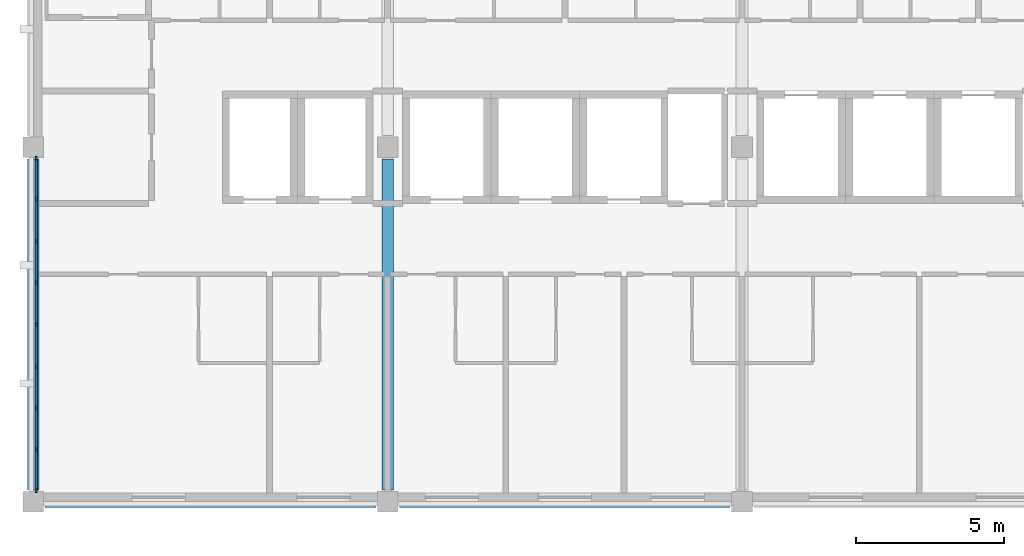
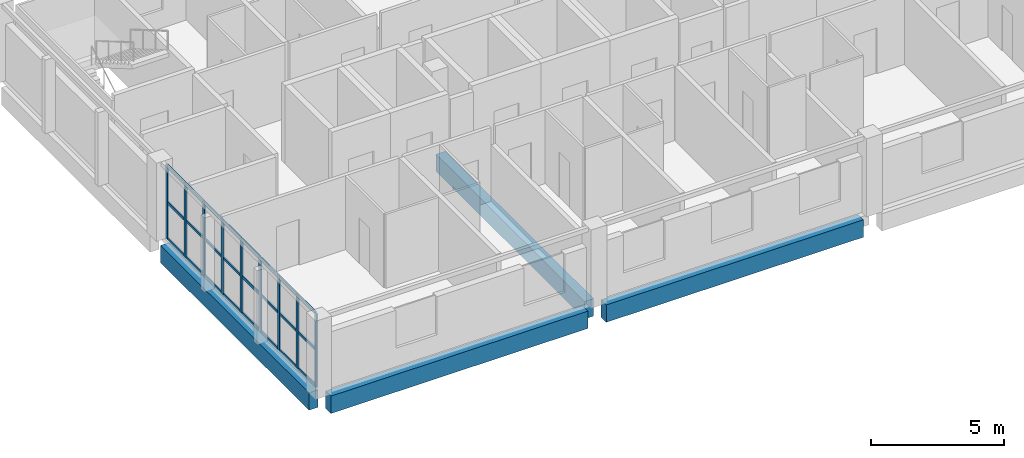
# One storey, part 2 of 11: 33 members, 4 beams, 1 element without a shape of its own.
"""IFC4 building model written with IfcOpenShell, lengths in metres."""

from ifc_helpers import new_model, si_unit, direction, frame, origin, origin_2d, place, context, subcontext, project, spatial, rectangle, extrude, material, layer, layer_set, material_profile, profile_set, type_object, element, aggregate, save


model = new_model("IFC4")

# Units and contexts
model_context = context("Model", 3, precision=1e-05, world=origin(), true_north=direction((0.0, 1.0)))
body_context = subcontext(model_context, "Body", "Model", "MODEL_VIEW")
ifc_project = project(units=[si_unit("LENGTHUNIT", "METRE"), si_unit("AREAUNIT", "SQUARE_METRE"), si_unit("VOLUMEUNIT", "CUBIC_METRE"), si_unit("PLANEANGLEUNIT", "RADIAN"), si_unit("MASSUNIT", "GRAM", prefix="KILO")], contexts=[model_context])

# Site, building, storey
site_placement = place(None, origin())
site = spatial("IfcSite", under=ifc_project, at=site_placement, CompositionType="ELEMENT")
building_placement = place(site_placement, origin())
building = spatial("IfcBuilding", under=site, at=building_placement, Name="Lilac Gate Convention Centre", CompositionType="ELEMENT")
storey_placement = place(building_placement, frame((0.0, 0.0, 49.800048828125)))
storey = spatial("IfcBuildingStorey", under=building, at=storey_placement, Name="L12", CompositionType="ELEMENT", Elevation=49.800048828125)

# Curtain wall, members
ifc_material_1 = material(Name="Aluminium framed double glazing", Category="aluminium")
ifc_layer = layer(ifc_material_1, 0.199951171875)
ifc_layer_set = layer_set([ifc_layer], Name="Aluminium framed double glazing")
curtain_wall_type = type_object("IfcCurtainWallType", Name="Unitised curtain wall 1500", PredefinedType="NOTDEFINED", material=ifc_layer_set)
curtain_wall_placement = place(storey_placement, origin())
curtain_wall = element("IfcCurtainWall", 1, at=curtain_wall_placement, inside=storey, type_object=curtain_wall_type, Name="Curtain wall W L12 2", PredefinedType="NOTDEFINED")
ifc_material_2 = material(Name="Aluminium alloy 6063", Category="aluminium")
ifc_material_profile_1 = material_profile(ifc_material_2, rectangle(XDim=0.06005859375, YDim=0.159912109375, at=origin_2d()), Name="Curtain wall mullion 60 x 160")
ifc_profile_set_1 = profile_set([ifc_material_profile_1], Name="Aluminium alloy 6063")
member_type_1 = type_object("IfcMemberType", Name="Curtain wall mullion 60 x 160", PredefinedType="MULLION", material=ifc_profile_set_1)
member_1_placement = place(storey_placement, frame((42.10009765625, 233.619873046875, 0.0), z_axis=(0.0, 0.0, 1.0), x_axis=(1.0, 0.0, 0.0)))
member_1 = element("IfcMember", 2, at=member_1_placement, type_object=member_type_1, Name="CW mullion 1", PredefinedType="MULLION", context=body_context, shape_type="SweptSolid", body=[
    extrude(rectangle(XDim=0.06005859375, YDim=0.159912109375, at=origin_2d()), origin(), (0.0, 0.0, 1.0), 3.39990234375),
])
member_2_placement = place(storey_placement, frame((42.10009765625, 232.237548828125, 0.0), z_axis=(0.0, 0.0, 1.0), x_axis=(1.0, 0.0, 0.0)))
member_2 = element("IfcMember", 3, at=member_2_placement, type_object=member_type_1, Name="CW mullion 2", PredefinedType="MULLION", context=body_context, shape_type="SweptSolid", body=[
    extrude(rectangle(XDim=0.06005859375, YDim=0.159912109375, at=origin_2d()), origin(), (0.0, 0.0, 1.0), 3.39990234375),
])
member_3_placement = place(storey_placement, frame((42.10009765625, 230.824951171875, 0.0), z_axis=(0.0, 0.0, 1.0), x_axis=(1.0, 0.0, 0.0)))
member_3 = element("IfcMember", 4, at=member_3_placement, type_object=member_type_1, Name="CW mullion 3", PredefinedType="MULLION", context=body_context, shape_type="SweptSolid", body=[
    extrude(rectangle(XDim=0.06005859375, YDim=0.159912109375, at=origin_2d()), origin(), (0.0, 0.0, 1.0), 3.39990234375),
])
member_4_placement = place(storey_placement, frame((42.10009765625, 229.41259765625, 0.0), z_axis=(0.0, 0.0, 1.0), x_axis=(1.0, 0.0, 0.0)))
member_4 = element("IfcMember", 5, at=member_4_placement, type_object=member_type_1, Name="CW mullion 4", PredefinedType="MULLION", context=body_context, shape_type="SweptSolid", body=[
    extrude(rectangle(XDim=0.06005859375, YDim=0.159912109375, at=origin_2d()), origin(), (0.0, 0.0, 1.0), 3.39990234375),
])
member_5_placement = place(storey_placement, frame((42.10009765625, 228.0, 0.0), z_axis=(0.0, 0.0, 1.0), x_axis=(1.0, 0.0, 0.0)))
member_5 = element("IfcMember", 6, at=member_5_placement, type_object=member_type_1, Name="CW mullion 5", PredefinedType="MULLION", context=body_context, shape_type="SweptSolid", body=[
    extrude(rectangle(XDim=0.06005859375, YDim=0.159912109375, at=origin_2d()), origin(), (0.0, 0.0, 1.0), 3.39990234375),
])
member_6_placement = place(storey_placement, frame((42.10009765625, 226.58740234375, 0.0), z_axis=(0.0, 0.0, 1.0), x_axis=(1.0, 0.0, 0.0)))
member_6 = element("IfcMember", 7, at=member_6_placement, type_object=member_type_1, Name="CW mullion 6", PredefinedType="MULLION", context=body_context, shape_type="SweptSolid", body=[
    extrude(rectangle(XDim=0.06005859375, YDim=0.159912109375, at=origin_2d()), origin(), (0.0, 0.0, 1.0), 3.39990234375),
])
member_7_placement = place(storey_placement, frame((42.10009765625, 225.175048828125, 0.0), z_axis=(0.0, 0.0, 1.0), x_axis=(1.0, 0.0, 0.0)))
member_7 = element("IfcMember", 8, at=member_7_placement, type_object=member_type_1, Name="CW mullion 7", PredefinedType="MULLION", context=body_context, shape_type="SweptSolid", body=[
    extrude(rectangle(XDim=0.06005859375, YDim=0.159912109375, at=origin_2d()), origin(), (0.0, 0.0, 1.0), 3.39990234375),
])
member_8_placement = place(storey_placement, frame((42.10009765625, 223.762451171875, 0.0), z_axis=(0.0, 0.0, 1.0), x_axis=(1.0, 0.0, 0.0)))
member_8 = element("IfcMember", 9, at=member_8_placement, type_object=member_type_1, Name="CW mullion 8", PredefinedType="MULLION", context=body_context, shape_type="SweptSolid", body=[
    extrude(rectangle(XDim=0.06005859375, YDim=0.159912109375, at=origin_2d()), origin(), (0.0, 0.0, 1.0), 3.39990234375),
])
member_9_placement = place(storey_placement, frame((42.10009765625, 222.380126953125, 0.0), z_axis=(0.0, 0.0, 1.0), x_axis=(1.0, 0.0, 0.0)))
member_9 = element("IfcMember", 10, at=member_9_placement, type_object=member_type_1, Name="CW mullion 9", PredefinedType="MULLION", context=body_context, shape_type="SweptSolid", body=[
    extrude(rectangle(XDim=0.06005859375, YDim=0.159912109375, at=origin_2d()), origin(), (0.0, 0.0, 1.0), 3.39990234375),
])
ifc_material_profile_2 = material_profile(ifc_material_2, rectangle(XDim=0.06005859375, YDim=0.1201171875, at=origin_2d()), Name="Curtain wall transom 60 x 120")
ifc_profile_set_2 = profile_set([ifc_material_profile_2], Name="Aluminium alloy 6063")
member_type_2 = type_object("IfcMemberType", Name="Curtain wall transom 60 x 120", PredefinedType="USERDEFINED", material=ifc_profile_set_2)
member_10_placement = place(storey_placement, frame((42.10009765625, 233.58984375, 0.030029296875), z_axis=(0.0, -1.0, 0.0), x_axis=(1.0, 0.0, 0.0)))
member_10 = element("IfcMember", 11, at=member_10_placement, type_object=member_type_2, Name="CW transom 1.1", ObjectType="TRANSOM", PredefinedType="USERDEFINED", context=body_context, shape_type="SweptSolid", body=[
    extrude(rectangle(XDim=0.06005859375, YDim=0.1201171875, at=origin_2d()), origin(), (0.0, 0.0, 1.0), 1.322509765625),
])
member_11_placement = place(storey_placement, frame((42.10009765625, 233.58984375, 1.699951171875), z_axis=(0.0, -1.0, 0.0), x_axis=(1.0, 0.0, 0.0)))
member_11 = element("IfcMember", 12, at=member_11_placement, type_object=member_type_2, Name="CW transom 1.2", ObjectType="TRANSOM", PredefinedType="USERDEFINED", context=body_context, shape_type="SweptSolid", body=[
    extrude(rectangle(XDim=0.06005859375, YDim=0.1201171875, at=origin_2d()), origin(), (0.0, 0.0, 1.0), 1.322509765625),
])
member_12_placement = place(storey_placement, frame((42.10009765625, 233.58984375, 3.369873046875), z_axis=(0.0, -1.0, 0.0), x_axis=(1.0, 0.0, 0.0)))
member_12 = element("IfcMember", 13, at=member_12_placement, type_object=member_type_2, Name="CW transom 1.3", ObjectType="TRANSOM", PredefinedType="USERDEFINED", context=body_context, shape_type="SweptSolid", body=[
    extrude(rectangle(XDim=0.06005859375, YDim=0.1201171875, at=origin_2d()), origin(), (0.0, 0.0, 1.0), 1.322509765625),
])
member_13_placement = place(storey_placement, frame((42.10009765625, 232.20751953125, 0.030029296875), z_axis=(0.0, -1.0, 0.0), x_axis=(1.0, 0.0, 0.0)))
member_13 = element("IfcMember", 14, at=member_13_placement, type_object=member_type_2, Name="CW transom 2.1", ObjectType="TRANSOM", PredefinedType="USERDEFINED", context=body_context, shape_type="SweptSolid", body=[
    extrude(rectangle(XDim=0.06005859375, YDim=0.1201171875, at=origin_2d()), origin(), (0.0, 0.0, 1.0), 1.3525390625),
])
member_14_placement = place(storey_placement, frame((42.10009765625, 232.20751953125, 1.699951171875), z_axis=(0.0, -1.0, 0.0), x_axis=(1.0, 0.0, 0.0)))
member_14 = element("IfcMember", 15, at=member_14_placement, type_object=member_type_2, Name="CW transom 2.2", ObjectType="TRANSOM", PredefinedType="USERDEFINED", context=body_context, shape_type="SweptSolid", body=[
    extrude(rectangle(XDim=0.06005859375, YDim=0.1201171875, at=origin_2d()), origin(), (0.0, 0.0, 1.0), 1.3525390625),
])
member_15_placement = place(storey_placement, frame((42.10009765625, 232.20751953125, 3.369873046875), z_axis=(0.0, -1.0, 0.0), x_axis=(1.0, 0.0, 0.0)))
member_15 = element("IfcMember", 16, at=member_15_placement, type_object=member_type_2, Name="CW transom 2.3", ObjectType="TRANSOM", PredefinedType="USERDEFINED", context=body_context, shape_type="SweptSolid", body=[
    extrude(rectangle(XDim=0.06005859375, YDim=0.1201171875, at=origin_2d()), origin(), (0.0, 0.0, 1.0), 1.3525390625),
])
member_16_placement = place(storey_placement, frame((42.10009765625, 230.794921875, 0.030029296875), z_axis=(0.0, -1.0, 0.0), x_axis=(1.0, 0.0, 0.0)))
member_16 = element("IfcMember", 17, at=member_16_placement, type_object=member_type_2, Name="CW transom 3.1", ObjectType="TRANSOM", PredefinedType="USERDEFINED", context=body_context, shape_type="SweptSolid", body=[
    extrude(rectangle(XDim=0.06005859375, YDim=0.1201171875, at=origin_2d()), origin(), (0.0, 0.0, 1.0), 1.3525390625),
])
member_17_placement = place(storey_placement, frame((42.10009765625, 230.794921875, 1.699951171875), z_axis=(0.0, -1.0, 0.0), x_axis=(1.0, 0.0, 0.0)))
member_17 = element("IfcMember", 18, at=member_17_placement, type_object=member_type_2, Name="CW transom 3.2", ObjectType="TRANSOM", PredefinedType="USERDEFINED", context=body_context, shape_type="SweptSolid", body=[
    extrude(rectangle(XDim=0.06005859375, YDim=0.1201171875, at=origin_2d()), origin(), (0.0, 0.0, 1.0), 1.3525390625),
])
member_18_placement = place(storey_placement, frame((42.10009765625, 230.794921875, 3.369873046875), z_axis=(0.0, -1.0, 0.0), x_axis=(1.0, 0.0, 0.0)))
member_18 = element("IfcMember", 19, at=member_18_placement, type_object=member_type_2, Name="CW transom 3.3", ObjectType="TRANSOM", PredefinedType="USERDEFINED", context=body_context, shape_type="SweptSolid", body=[
    extrude(rectangle(XDim=0.06005859375, YDim=0.1201171875, at=origin_2d()), origin(), (0.0, 0.0, 1.0), 1.3525390625),
])
member_19_placement = place(storey_placement, frame((42.10009765625, 229.382568359375, 0.030029296875), z_axis=(0.0, -1.0, 0.0), x_axis=(1.0, 0.0, 0.0)))
member_19 = element("IfcMember", 20, at=member_19_placement, type_object=member_type_2, Name="CW transom 4.1", ObjectType="TRANSOM", PredefinedType="USERDEFINED", context=body_context, shape_type="SweptSolid", body=[
    extrude(rectangle(XDim=0.06005859375, YDim=0.1201171875, at=origin_2d()), origin(), (0.0, 0.0, 1.0), 1.3525390625),
])
member_20_placement = place(storey_placement, frame((42.10009765625, 229.382568359375, 1.699951171875), z_axis=(0.0, -1.0, 0.0), x_axis=(1.0, 0.0, 0.0)))
member_20 = element("IfcMember", 21, at=member_20_placement, type_object=member_type_2, Name="CW transom 4.2", ObjectType="TRANSOM", PredefinedType="USERDEFINED", context=body_context, shape_type="SweptSolid", body=[
    extrude(rectangle(XDim=0.06005859375, YDim=0.1201171875, at=origin_2d()), origin(), (0.0, 0.0, 1.0), 1.3525390625),
])
member_21_placement = place(storey_placement, frame((42.10009765625, 229.382568359375, 3.369873046875), z_axis=(0.0, -1.0, 0.0), x_axis=(1.0, 0.0, 0.0)))
member_21 = element("IfcMember", 22, at=member_21_placement, type_object=member_type_2, Name="CW transom 4.3", ObjectType="TRANSOM", PredefinedType="USERDEFINED", context=body_context, shape_type="SweptSolid", body=[
    extrude(rectangle(XDim=0.06005859375, YDim=0.1201171875, at=origin_2d()), origin(), (0.0, 0.0, 1.0), 1.3525390625),
])
member_22_placement = place(storey_placement, frame((42.10009765625, 227.969970703125, 0.030029296875), z_axis=(0.0, -1.0, 0.0), x_axis=(1.0, 0.0, 0.0)))
member_22 = element("IfcMember", 23, at=member_22_placement, type_object=member_type_2, Name="CW transom 5.1", ObjectType="TRANSOM", PredefinedType="USERDEFINED", context=body_context, shape_type="SweptSolid", body=[
    extrude(rectangle(XDim=0.06005859375, YDim=0.1201171875, at=origin_2d()), origin(), (0.0, 0.0, 1.0), 1.3525390625),
])
member_23_placement = place(storey_placement, frame((42.10009765625, 227.969970703125, 1.699951171875), z_axis=(0.0, -1.0, 0.0), x_axis=(1.0, 0.0, 0.0)))
member_23 = element("IfcMember", 24, at=member_23_placement, type_object=member_type_2, Name="CW transom 5.2", ObjectType="TRANSOM", PredefinedType="USERDEFINED", context=body_context, shape_type="SweptSolid", body=[
    extrude(rectangle(XDim=0.06005859375, YDim=0.1201171875, at=origin_2d()), origin(), (0.0, 0.0, 1.0), 1.3525390625),
])
member_24_placement = place(storey_placement, frame((42.10009765625, 227.969970703125, 3.369873046875), z_axis=(0.0, -1.0, 0.0), x_axis=(1.0, 0.0, 0.0)))
member_24 = element("IfcMember", 25, at=member_24_placement, type_object=member_type_2, Name="CW transom 5.3", ObjectType="TRANSOM", PredefinedType="USERDEFINED", context=body_context, shape_type="SweptSolid", body=[
    extrude(rectangle(XDim=0.06005859375, YDim=0.1201171875, at=origin_2d()), origin(), (0.0, 0.0, 1.0), 1.3525390625),
])
member_25_placement = place(storey_placement, frame((42.10009765625, 226.5576171875, 0.030029296875), z_axis=(0.0, -1.0, 0.0), x_axis=(1.0, 0.0, 0.0)))
member_25 = element("IfcMember", 26, at=member_25_placement, type_object=member_type_2, Name="CW transom 6.1", ObjectType="TRANSOM", PredefinedType="USERDEFINED", context=body_context, shape_type="SweptSolid", body=[
    extrude(rectangle(XDim=0.06005859375, YDim=0.1201171875, at=origin_2d()), origin(), (0.0, 0.0, 1.0), 1.3525390625),
])
member_26_placement = place(storey_placement, frame((42.10009765625, 226.5576171875, 1.699951171875), z_axis=(0.0, -1.0, 0.0), x_axis=(1.0, 0.0, 0.0)))
member_26 = element("IfcMember", 27, at=member_26_placement, type_object=member_type_2, Name="CW transom 6.2", ObjectType="TRANSOM", PredefinedType="USERDEFINED", context=body_context, shape_type="SweptSolid", body=[
    extrude(rectangle(XDim=0.06005859375, YDim=0.1201171875, at=origin_2d()), origin(), (0.0, 0.0, 1.0), 1.3525390625),
])
member_27_placement = place(storey_placement, frame((42.10009765625, 226.5576171875, 3.369873046875), z_axis=(0.0, -1.0, 0.0), x_axis=(1.0, 0.0, 0.0)))
member_27 = element("IfcMember", 28, at=member_27_placement, type_object=member_type_2, Name="CW transom 6.3", ObjectType="TRANSOM", PredefinedType="USERDEFINED", context=body_context, shape_type="SweptSolid", body=[
    extrude(rectangle(XDim=0.06005859375, YDim=0.1201171875, at=origin_2d()), origin(), (0.0, 0.0, 1.0), 1.3525390625),
])
member_28_placement = place(storey_placement, frame((42.10009765625, 225.14501953125, 0.030029296875), z_axis=(0.0, -1.0, 0.0), x_axis=(1.0, 0.0, 0.0)))
member_28 = element("IfcMember", 29, at=member_28_placement, type_object=member_type_2, Name="CW transom 7.1", ObjectType="TRANSOM", PredefinedType="USERDEFINED", context=body_context, shape_type="SweptSolid", body=[
    extrude(rectangle(XDim=0.06005859375, YDim=0.1201171875, at=origin_2d()), origin(), (0.0, 0.0, 1.0), 1.3525390625),
])
member_29_placement = place(storey_placement, frame((42.10009765625, 225.14501953125, 1.699951171875), z_axis=(0.0, -1.0, 0.0), x_axis=(1.0, 0.0, 0.0)))
member_29 = element("IfcMember", 30, at=member_29_placement, type_object=member_type_2, Name="CW transom 7.2", ObjectType="TRANSOM", PredefinedType="USERDEFINED", context=body_context, shape_type="SweptSolid", body=[
    extrude(rectangle(XDim=0.06005859375, YDim=0.1201171875, at=origin_2d()), origin(), (0.0, 0.0, 1.0), 1.3525390625),
])
member_30_placement = place(storey_placement, frame((42.10009765625, 225.14501953125, 3.369873046875), z_axis=(0.0, -1.0, 0.0), x_axis=(1.0, 0.0, 0.0)))
member_30 = element("IfcMember", 31, at=member_30_placement, type_object=member_type_2, Name="CW transom 7.3", ObjectType="TRANSOM", PredefinedType="USERDEFINED", context=body_context, shape_type="SweptSolid", body=[
    extrude(rectangle(XDim=0.06005859375, YDim=0.1201171875, at=origin_2d()), origin(), (0.0, 0.0, 1.0), 1.3525390625),
])
member_31_placement = place(storey_placement, frame((42.10009765625, 223.732666015625, 0.030029296875), z_axis=(0.0, -1.0, 0.0), x_axis=(1.0, 0.0, 0.0)))
member_31 = element("IfcMember", 32, at=member_31_placement, type_object=member_type_2, Name="CW transom 8.1", ObjectType="TRANSOM", PredefinedType="USERDEFINED", context=body_context, shape_type="SweptSolid", body=[
    extrude(rectangle(XDim=0.06005859375, YDim=0.1201171875, at=origin_2d()), origin(), (0.0, 0.0, 1.0), 1.322509765625),
])
member_32_placement = place(storey_placement, frame((42.10009765625, 223.732666015625, 1.699951171875), z_axis=(0.0, -1.0, 0.0), x_axis=(1.0, 0.0, 0.0)))
member_32 = element("IfcMember", 33, at=member_32_placement, type_object=member_type_2, Name="CW transom 8.2", ObjectType="TRANSOM", PredefinedType="USERDEFINED", context=body_context, shape_type="SweptSolid", body=[
    extrude(rectangle(XDim=0.06005859375, YDim=0.1201171875, at=origin_2d()), origin(), (0.0, 0.0, 1.0), 1.322509765625),
])
member_33_placement = place(storey_placement, frame((42.10009765625, 223.732666015625, 3.369873046875), z_axis=(0.0, -1.0, 0.0), x_axis=(1.0, 0.0, 0.0)))
member_33 = element("IfcMember", 34, at=member_33_placement, type_object=member_type_2, Name="CW transom 8.3", ObjectType="TRANSOM", PredefinedType="USERDEFINED", context=body_context, shape_type="SweptSolid", body=[
    extrude(rectangle(XDim=0.06005859375, YDim=0.1201171875, at=origin_2d()), origin(), (0.0, 0.0, 1.0), 1.322509765625),
])
aggregate(curtain_wall, [member_1, member_2, member_3, member_4, member_5, member_6, member_7, member_8, member_9, member_10, member_11, member_12, member_13, member_14, member_15, member_16, member_17, member_18, member_19, member_20, member_21, member_22, member_23, member_24, member_25, member_26, member_27, member_28, member_29, member_30, member_31, member_32, member_33])

# Beams
ifc_material_3 = material(Name="Concrete C40", Category="concrete")
ifc_material_profile_3 = material_profile(ifc_material_3, rectangle(XDim=0.39990234375, YDim=0.800048828125, at=origin_2d()), Name="RC 400x800")
ifc_profile_set_3 = profile_set([ifc_material_profile_3], Name="Concrete C40")
beam_type = type_object("IfcBeamType", Name="Tower primary beam 400x800 C40", PredefinedType="BEAM", material=ifc_profile_set_3)
for number, where, z_axis, x_axis, name in (
    (35, (42.39990234375, 222.0, -0.60009765625), (1.0, 0.0, 0.0), (0.0, 1.0, 0.0), "RB3 L12 4/S-5/S"),
    (36, (54.39990234375, 222.0, -0.60009765625), (1.0, 0.0, 0.0), (0.0, 1.0, 0.0), "RB3 L12 5/S-6/S"),
    (37, (42.0, 222.39990234375, -0.60009765625), (0.0, 1.0, 0.0), (-1.0, 0.0, 0.0), "RB3 L12 4/S-4/T"),
    (38, (54.0, 222.39990234375, -0.60009765625), (0.0, 1.0, 0.0), (-1.0, 0.0, 0.0), "RB3 L12 5/S-5/T"),
):
    element("IfcBeam", number, at=place(storey_placement, frame(where, z_axis=z_axis, x_axis=x_axis)), inside=storey, type_object=beam_type, Name=name, PredefinedType="BEAM", context=body_context, shape_type="SweptSolid", body=[
        extrude(rectangle(XDim=0.39990234375, YDim=0.800048828125, at=origin_2d()), origin(), (0.0, 0.0, 1.0), 11.2001953125),
    ])

save(model, "model.ifc")
